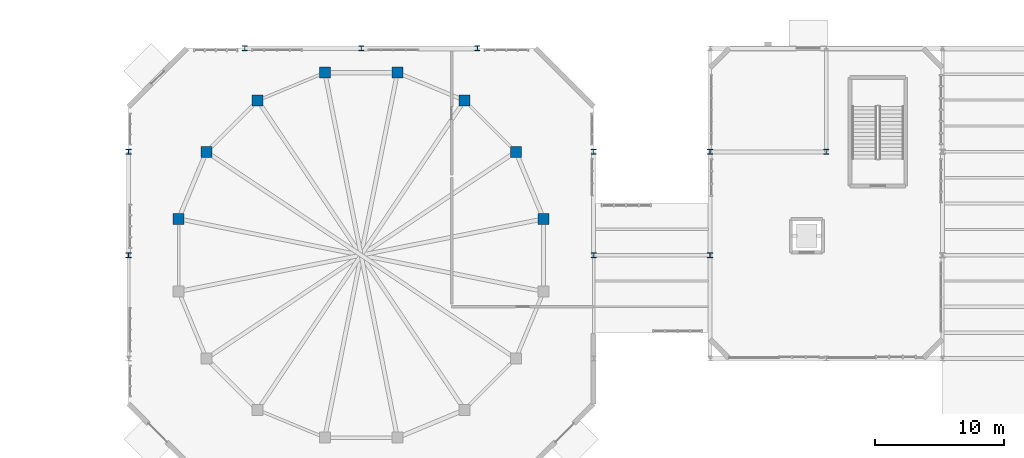
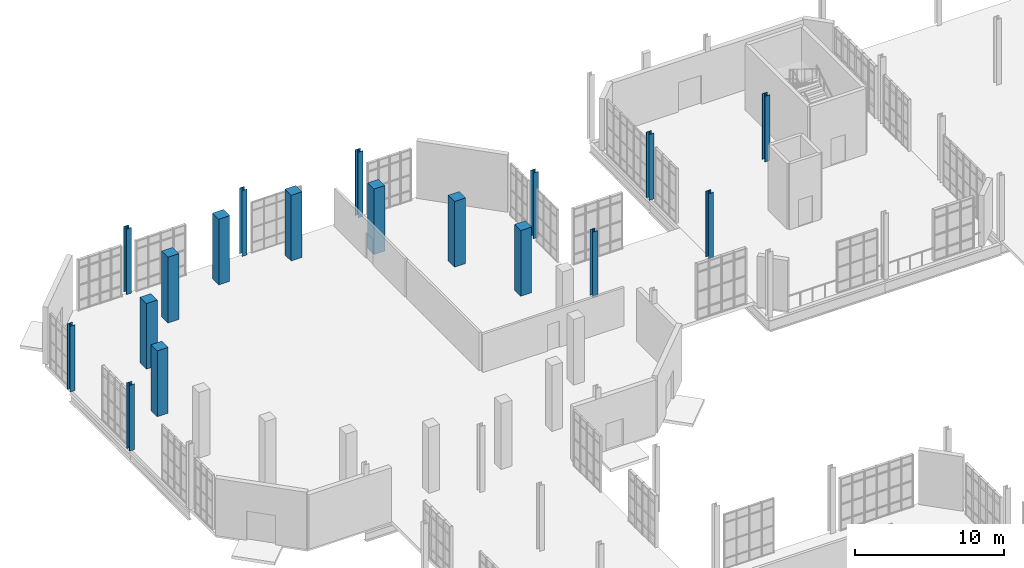
# One storey, part 10 of 189: 18 columns.
"""IFC4 building model written with IfcOpenShell, lengths in metres."""

from ifc_helpers import new_model, si_unit, direction, frame, origin, origin_2d, place, context, subcontext, project, spatial, rectangle, i_section, extrude, material, material_profile, profile_set, type_object, element, save


model = new_model("IFC4")

# Units and contexts
model_context = context("Model", 3, precision=1e-05, world=origin(), true_north=direction((0.0, 1.0)))
body_context = subcontext(model_context, "Body", "Model", "MODEL_VIEW")
ifc_project = project(units=[si_unit("LENGTHUNIT", "METRE"), si_unit("AREAUNIT", "SQUARE_METRE"), si_unit("VOLUMEUNIT", "CUBIC_METRE"), si_unit("PLANEANGLEUNIT", "RADIAN"), si_unit("MASSUNIT", "GRAM", prefix="KILO"), si_unit("THERMODYNAMICTEMPERATUREUNIT", "KELVIN"), si_unit("POWERUNIT", "WATT")], contexts=[model_context])

# Site, building, storey
site_placement = place(None, origin())
site = spatial("IfcSite", under=ifc_project, at=site_placement, CompositionType="ELEMENT")
building_placement = place(site_placement, origin())
building = spatial("IfcBuilding", under=site, at=building_placement, Name="Zelmaris Science Centre", CompositionType="ELEMENT")
storey_placement = place(building_placement, origin())
storey = spatial("IfcBuildingStorey", under=building, at=storey_placement, Name="L00", CompositionType="ELEMENT", Elevation=0.0)

# Columns
ifc_material_1 = material(Name="Steel ASTM A992 Grade 50", Category="steel")
ifc_material_profile_1 = material_profile(ifc_material_1, i_section(OverallWidth=0.39892578125, OverallDepth=0.385986328125, WebThickness=0.02099609375, FlangeThickness=0.033203125, FilletRadius=0.014892578125, at=origin_2d()), Name="W14X176")
ifc_profile_set_1 = profile_set([ifc_material_profile_1], Name="Steel ASTM A992 Grade 50")
column_type_1 = type_object("IfcColumnType", Name="Column C-04 W14X176", PredefinedType="COLUMN", material=ifc_profile_set_1)
for number, where, z_axis, x_axis, name in (
    (1, (54.0, 72.0, 0.0), (0.0, 0.0, 1.0), (1.0, 0.0, 0.0), "Column V5-C-54-72 L00"),
    (2, (54.0, 80.0, 0.0), (0.0, 0.0, 1.0), (1.0, 0.0, 0.0), "Column V5-C-54-80 L00"),
    (3, (63.0, 80.0, 0.0), (0.0, 0.0, 1.0), (1.0, 0.0, 0.0), "Column V5-C-63-80 L00"),
):
    element("IfcColumn", number, at=place(storey_placement, frame(where, z_axis=z_axis, x_axis=x_axis)), inside=storey, type_object=column_type_1, Name=name, PredefinedType="COLUMN", context=body_context, shape_type="SweptSolid", body=[
        extrude(i_section(OverallWidth=0.39892578125, OverallDepth=0.385986328125, WebThickness=0.02099609375, FlangeThickness=0.033203125, FilletRadius=0.014892578125, at=origin_2d()), origin(), (0.0, 0.0, 1.0), 5.39990234375),
    ])
ifc_material_profile_2 = material_profile(ifc_material_1, i_section(OverallWidth=0.39404296875, OverallDepth=0.3759765625, WebThickness=0.017333984375, FlangeThickness=0.027587890625, FilletRadius=0.014892578125, at=origin_2d()), Name="W14X145")
ifc_profile_set_2 = profile_set([ifc_material_profile_2], Name="Steel ASTM A992 Grade 50")
column_type_2 = type_object("IfcColumnType", Name="Column C-05 W14X145", PredefinedType="COLUMN", material=ifc_profile_set_2)
for number, where, z_axis, x_axis, name in (
    (4, (18.0, 88.0, 0.0), (0.0, 0.0, 1.0), (1.0, 0.0, 0.0), "Column V1-PC04 L00"),
    (5, (27.0, 88.0, 0.0), (0.0, 0.0, 1.0), (1.0, 0.0, 0.0), "Column V1-PC05 L00"),
    (6, (36.0, 88.0, 0.0), (0.0, 0.0, 1.0), (1.0, 0.0, 0.0), "Column V1-PC06 L00"),
    (7, (9.0, 72.0, 0.0), (0.0, 0.0, 1.0), (1.0, 0.0, 0.0), "Column V1-PC08 L00"),
    (8, (9.0, 80.0, 0.0), (0.0, 0.0, 1.0), (1.0, 0.0, 0.0), "Column V1-PC09 L00"),
    (9, (45.0, 72.0, 0.0), (0.0, 0.0, 1.0), (1.0, 0.0, 0.0), "Column V1-PC11 L00"),
    (10, (45.0, 80.0, 0.0), (0.0, 0.0, 1.0), (1.0, 0.0, 0.0), "Column V1-PC12 L00"),
):
    element("IfcColumn", number, at=place(storey_placement, frame(where, z_axis=z_axis, x_axis=x_axis)), inside=storey, type_object=column_type_2, Name=name, PredefinedType="COLUMN", context=body_context, shape_type="SweptSolid", body=[
        extrude(i_section(OverallWidth=0.39404296875, OverallDepth=0.3759765625, WebThickness=0.017333984375, FlangeThickness=0.027587890625, FilletRadius=0.014892578125, at=origin_2d()), origin(), (0.0, 0.0, 1.0), 5.39990234375),
    ])
ifc_material_2 = material(Name="Concrete C40/50", Category="concrete")
ifc_material_profile_3 = material_profile(ifc_material_2, rectangle(XDim=0.85009765625, YDim=0.85009765625, at=origin_2d()), Name="RC-COL-850X850")
ifc_profile_set_3 = profile_set([ifc_material_profile_3], Name="Concrete C40/50")
column_type_3 = type_object("IfcColumnType", Name="Column C-14 RC-COL-850X850", PredefinedType="COLUMN", material=ifc_profile_set_3)
for number, where, z_axis, x_axis, name in (
    (11, (41.123291015625, 74.809326171875, 0.0), (0.0, 0.0, 1.0), (1.0, 0.0, 0.0), "Column V1-DC01 L00"),
    (12, (38.97314453125, 80.000244140625, 0.0), (0.0, 0.0, 1.0), (1.0, 0.0, 0.0), "Column V1-DC02 L00"),
    (13, (35.000244140625, 83.97314453125, 0.0), (0.0, 0.0, 1.0), (1.0, 0.0, 0.0), "Column V1-DC03 L00"),
    (14, (29.809326171875, 86.123291015625, 0.0), (0.0, 0.0, 1.0), (1.0, 0.0, 0.0), "Column V1-DC04 L00"),
    (15, (24.190673828125, 86.123291015625, 0.0), (0.0, 0.0, 1.0), (1.0, 0.0, 0.0), "Column V1-DC05 L00"),
    (16, (18.999755859375, 83.97314453125, 0.0), (0.0, 0.0, 1.0), (1.0, 0.0, 0.0), "Column V1-DC06 L00"),
    (17, (15.02685546875, 80.000244140625, 0.0), (0.0, 0.0, 1.0), (1.0, 0.0, 0.0), "Column V1-DC07 L00"),
    (18, (12.876708984375, 74.809326171875, 0.0), (0.0, 0.0, 1.0), (1.0, 0.0, 0.0), "Column V1-DC08 L00"),
):
    element("IfcColumn", number, at=place(storey_placement, frame(where, z_axis=z_axis, x_axis=x_axis)), inside=storey, type_object=column_type_3, Name=name, PredefinedType="COLUMN", context=body_context, shape_type="SweptSolid", body=[
        extrude(rectangle(XDim=0.85009765625, YDim=0.85009765625, at=origin_2d()), origin(), (0.0, 0.0, 1.0), 5.39990234375),
    ])

save(model, "model.ifc")
